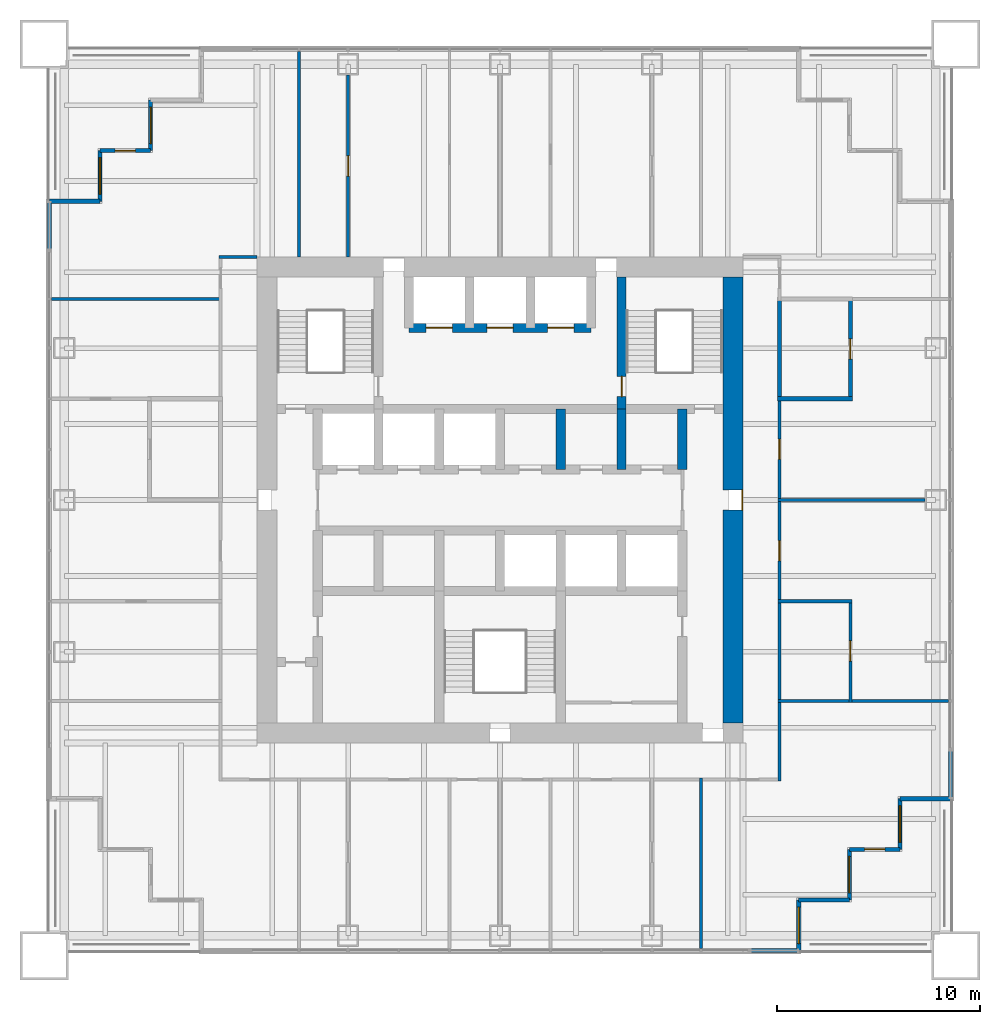
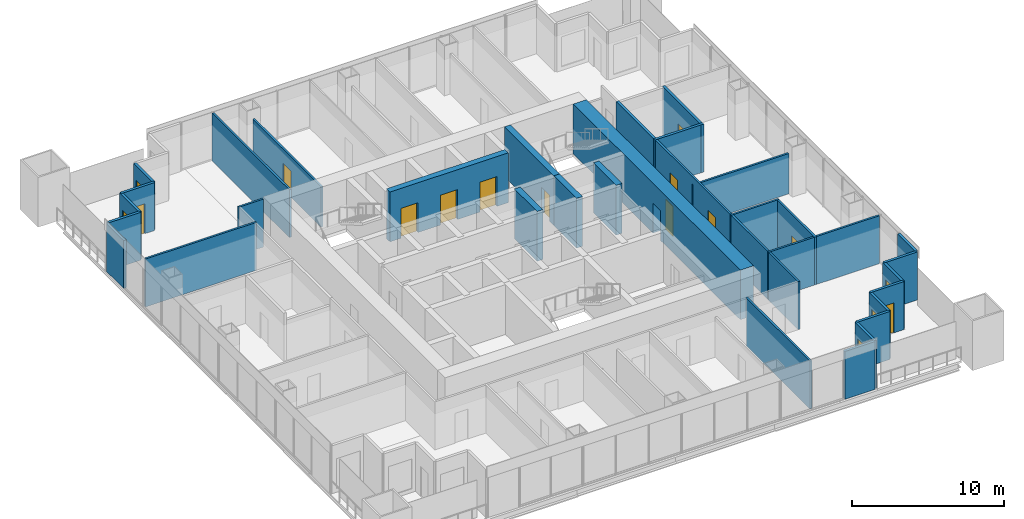
# One storey, part 10 of 13: 32 walls, 12 doors, 5 windows, 17 openings.
"""IFC4 building model written with IfcOpenShell, lengths in metres."""

from ifc_helpers import new_model, si_unit, direction, frame, frame_2d, origin, place, context, subcontext, project, spatial, rectangle, extrude, material, layer, layer_set, type_object, element, fill, save


model = new_model("IFC4")

# Units and contexts
model_context = context("Model", 3, precision=1e-05, world=origin(), true_north=direction((0.0, 1.0)))
body_context = subcontext(model_context, "Body", "Model", "MODEL_VIEW")
ifc_project = project(units=[si_unit("LENGTHUNIT", "METRE"), si_unit("AREAUNIT", "SQUARE_METRE"), si_unit("VOLUMEUNIT", "CUBIC_METRE"), si_unit("PLANEANGLEUNIT", "RADIAN"), si_unit("MASSUNIT", "GRAM", prefix="KILO")], contexts=[model_context])

# Site, building, storey
site_placement = place(None, origin())
site = spatial("IfcSite", under=ifc_project, at=site_placement, CompositionType="ELEMENT")
building_placement = place(site_placement, origin())
building = spatial("IfcBuilding", under=site, at=building_placement, Name="Tarangal Relay Tower", CompositionType="ELEMENT")
storey_placement = place(building_placement, frame((0.0, 0.0, 181.89990234375)))
storey = spatial("IfcBuildingStorey", under=building, at=storey_placement, Name="L37", CompositionType="ELEMENT", Elevation=181.89990234375)

# Walls
ifc_material_1 = material(Name="Two layers gypsum board each side on twin steel studs, mineral wool", Category="steel")
ifc_layer_1 = layer(ifc_material_1, 0.199951171875)
ifc_layer_set_1 = layer_set([ifc_layer_1], Name="Acoustic partition 200")
wall_type_1 = type_object("IfcWallType", Name="Acoustic partition 200", PredefinedType="PARTITIONING", material=ifc_layer_set_1)
wall_1_placement = place(storey_placement, frame((13.699951171875, 5.0, 0.0), z_axis=(0.0, 0.0, 1.0), x_axis=(1.0, 0.0, 0.0)))
element("IfcWall", 1, at=wall_1_placement, inside=storey, type_object=wall_type_1, Name="Partition PT2 L37", PredefinedType="PARTITIONING", context=body_context, shape_type="SweptSolid", body=[
    extrude(rectangle(XDim=3.699951171875, YDim=0.199951171875, at=frame_2d((1.85009765625, 0.0))), origin(), (0.0, 0.0, 1.0), 3.85009765625),
])
wall_2_placement = place(storey_placement, frame((13.800048828125, 4.89990234375, 0.0), z_axis=(0.0, 0.0, 1.0), x_axis=(0.0, 1.0, 0.0)))
element("IfcWall", 2, at=wall_2_placement, inside=storey, type_object=wall_type_1, Name="Partition PT2 L37", PredefinedType="PARTITIONING", context=body_context, shape_type="SweptSolid", body=[
    extrude(rectangle(XDim=5.1171875, YDim=0.199951171875, at=frame_2d((2.55859375, 0.0))), origin(), (0.0, 0.0, 1.0), 3.85009765625),
])

# Wall, opening, door
wall_3_placement = place(storey_placement, frame((17.300048828125, 4.89990234375, 0.0), z_axis=(0.0, 0.0, 1.0), x_axis=(0.0, 1.0, 0.0)))
wall_3 = element("IfcWall", 3, at=wall_3_placement, inside=storey, type_object=wall_type_1, Name="Partition PT2 L37", PredefinedType="PARTITIONING", context=body_context, shape_type="SweptSolid", body=[
    extrude(rectangle(XDim=5.1171875, YDim=0.199951171875, at=frame_2d((2.55859375, 0.0))), origin(), (0.0, 0.0, 1.0), 3.85009765625),
])
opening_1_placement = place(wall_3_placement, frame((2.05859375, 0.0, 0.0)))
opening_1 = element("IfcOpeningElement", 4, at=opening_1_placement, cuts=wall_3, Name="Opening D2", PredefinedType="OPENING", context=body_context, shape_type="SweptSolid", body=[
    extrude(rectangle(XDim=1.0, YDim=2.10009765625, at=frame_2d((0.5, 1.050048828125))), frame((0.0, 0.10986328125, 0.0), z_axis=(0.0, -1.0, 0.0), x_axis=(1.0, 0.0, 0.0)), (0.0, 0.0, 1.0), 0.219970703125),
])
ifc_material_2 = material(Name="Hardwood door", Category="wood")
door_type_1 = type_object("IfcDoorType", Name="Door 1000 x 2100", OperationType="SINGLE_SWING_LEFT", PredefinedType="DOOR", material=ifc_material_2)
door_1_placement = place(opening_1_placement, origin())
door_1 = element("IfcDoor", 5, at=door_1_placement, inside=storey, type_object=door_type_1, Name="Door D2 to meeting room L37-08", OperationType="SINGLE_SWING_LEFT", OverallHeight=2.10009765625, OverallWidth=1.0, PredefinedType="DOOR", context=body_context, shape_type="SweptSolid", body=[
    extrude(rectangle(XDim=1.0, YDim=2.10009765625, at=frame_2d((0.5, 1.050048828125))), frame((0.0, 0.02490234375, 0.0), z_axis=(0.0, -1.0, 0.0), x_axis=(1.0, 0.0, 0.0)), (0.0, 0.0, 1.0), 0.050048828125),
])
fill(opening_1, door_1)

# Wall, openings, doors
ifc_material_3 = material(Name="Concrete fc' 60 MPa", Category="concrete")
ifc_layer_2 = layer(ifc_material_3, 0.449951171875)
ifc_layer_set_2 = layer_set([ifc_layer_2], Name="Core inner wall 450")
wall_type_2 = type_object("IfcWallType", Name="Core inner wall 450", PredefinedType="SHEAR", material=ifc_layer_set_2)
wall_4_placement = place(storey_placement, frame((-4.5, 8.5, 0.0), z_axis=(0.0, 0.0, 1.0), x_axis=(1.0, 0.0, 0.0)))
wall_4 = element("IfcWall", 6, at=wall_4_placement, inside=storey, type_object=wall_type_2, Name="Core wall Y85 L37", PredefinedType="SHEAR", context=body_context, shape_type="SweptSolid", body=[
    extrude(rectangle(XDim=9.0, YDim=0.449951171875, at=frame_2d((4.5, 0.0))), origin(), (0.0, 0.0, 1.0), 4.0),
])
opening_2_placement = place(wall_4_placement, frame((0.85009765625, 0.0, 0.0)))
opening_2 = element("IfcOpeningElement", 7, at=opening_2_placement, cuts=wall_4, Name="Opening LD2", PredefinedType="OPENING", context=body_context, shape_type="SweptSolid", body=[
    extrude(rectangle(XDim=1.300048828125, YDim=2.39990234375, at=frame_2d((0.64990234375, 1.199951171875))), frame((0.0, 0.23486328125, 0.0), z_axis=(0.0, -1.0, 0.0), x_axis=(1.0, 0.0, 0.0)), (0.0, 0.0, 1.0), 0.469970703125),
])
opening_3_placement = place(wall_4_placement, frame((6.85009765625, 0.0, 0.0)))
opening_3 = element("IfcOpeningElement", 8, at=opening_3_placement, cuts=wall_4, Name="Opening LD2", PredefinedType="OPENING", context=body_context, shape_type="SweptSolid", body=[
    extrude(rectangle(XDim=1.300048828125, YDim=2.39990234375, at=frame_2d((0.64990234375, 1.199951171875))), frame((0.0, 0.23486328125, 0.0), z_axis=(0.0, -1.0, 0.0), x_axis=(1.0, 0.0, 0.0)), (0.0, 0.0, 1.0), 0.469970703125),
])
opening_4_placement = place(wall_4_placement, frame((3.85009765625, 0.0, 0.0)))
opening_4 = element("IfcOpeningElement", 9, at=opening_4_placement, cuts=wall_4, Name="Opening LD2", PredefinedType="OPENING", context=body_context, shape_type="SweptSolid", body=[
    extrude(rectangle(XDim=1.300048828125, YDim=2.39990234375, at=frame_2d((0.64990234375, 1.199951171875))), frame((0.0, 0.23486328125, 0.0), z_axis=(0.0, -1.0, 0.0), x_axis=(1.0, 0.0, 0.0)), (0.0, 0.0, 1.0), 0.469970703125),
])
ifc_material_4 = material(Name="Steel door with hardwood frame", Category="steel")
door_type_2 = type_object("IfcDoorType", Name="Lift landing door 1300 x 2400", OperationType="SLIDING_TO_LEFT", PredefinedType="DOOR", material=ifc_material_4)
door_2_placement = place(opening_2_placement, origin())
door_2 = element("IfcDoor", 10, at=door_2_placement, inside=storey, type_object=door_type_2, Name="Lift FF1 landing door L37", OperationType="SLIDING_TO_LEFT", OverallHeight=2.39990234375, OverallWidth=1.300048828125, PredefinedType="DOOR", context=body_context, shape_type="SweptSolid", body=[
    extrude(rectangle(XDim=1.300048828125, YDim=2.39990234375, at=frame_2d((0.64990234375, 1.199951171875))), frame((0.0, 0.02490234375, 0.0), z_axis=(0.0, -1.0, 0.0), x_axis=(1.0, 0.0, 0.0)), (0.0, 0.0, 1.0), 0.050048828125),
])
fill(opening_2, door_2)
door_3_placement = place(opening_3_placement, origin())
door_3 = element("IfcDoor", 11, at=door_3_placement, inside=storey, type_object=door_type_2, Name="Lift FF2 landing door L37", OperationType="SLIDING_TO_LEFT", OverallHeight=2.39990234375, OverallWidth=1.300048828125, PredefinedType="DOOR", context=body_context, shape_type="SweptSolid", body=[
    extrude(rectangle(XDim=1.300048828125, YDim=2.39990234375, at=frame_2d((0.64990234375, 1.199951171875))), frame((0.0, 0.02490234375, 0.0), z_axis=(0.0, -1.0, 0.0), x_axis=(1.0, 0.0, 0.0)), (0.0, 0.0, 1.0), 0.050048828125),
])
fill(opening_3, door_3)
door_4_placement = place(opening_4_placement, origin())
door_4 = element("IfcDoor", 12, at=door_4_placement, inside=storey, type_object=door_type_2, Name="Lift SV1 landing door L37", OperationType="SLIDING_TO_LEFT", OverallHeight=2.39990234375, OverallWidth=1.300048828125, PredefinedType="DOOR", context=body_context, shape_type="SweptSolid", body=[
    extrude(rectangle(XDim=1.300048828125, YDim=2.39990234375, at=frame_2d((0.64990234375, 1.199951171875))), frame((0.0, 0.02490234375, 0.0), z_axis=(0.0, -1.0, 0.0), x_axis=(1.0, 0.0, 0.0)), (0.0, 0.0, 1.0), 0.050048828125),
])
fill(opening_4, door_4)

# Walls
for number, where, z_axis, x_axis, name in (
    (13, (9.0, 1.5, 0.0), (0.0, 0.0, 1.0), (0.0, 1.0, 0.0), "Core wall X9N L37"),
    (14, (3.0, 1.5, 0.0), (0.0, 0.0, 1.0), (0.0, 1.0, 0.0), "Core wall X3N L37"),
    (15, (6.0, 1.5, 0.0), (0.0, 0.0, 1.0), (0.0, 1.0, 0.0), "Core wall X6N L37"),
):
    element("IfcWall", number, at=place(storey_placement, frame(where, z_axis=z_axis, x_axis=x_axis)), inside=storey, type_object=wall_type_2, Name=name, PredefinedType="SHEAR", context=body_context, shape_type="SweptSolid", body=[
        extrude(rectangle(XDim=3.0, YDim=0.449951171875, at=frame_2d((1.5, 0.0))), origin(), (0.0, 0.0, 1.0), 4.0),
    ])

# Wall, opening, door
wall_5_placement = place(storey_placement, frame((6.0, 4.5, 0.0), z_axis=(0.0, 0.0, 1.0), x_axis=(0.0, 1.0, 0.0)))
wall_5 = element("IfcWall", 16, at=wall_5_placement, inside=storey, type_object=wall_type_2, Name="Core wall X6 L37", PredefinedType="SHEAR", context=body_context, shape_type="SweptSolid", body=[
    extrude(rectangle(XDim=6.5, YDim=0.449951171875, at=frame_2d((3.25, 0.0))), origin(), (0.0, 0.0, 1.0), 4.0),
])
opening_5_placement = place(wall_5_placement, frame((0.60009765625, 0.0, 0.0)))
opening_5 = element("IfcOpeningElement", 17, at=opening_5_placement, cuts=wall_5, Name="Opening FD1", PredefinedType="OPENING", context=body_context, shape_type="SweptSolid", body=[
    extrude(rectangle(XDim=1.0, YDim=2.10009765625, at=frame_2d((0.5, 1.050048828125))), frame((0.0, 0.23486328125, 0.0), z_axis=(0.0, -1.0, 0.0), x_axis=(1.0, 0.0, 0.0)), (0.0, 0.0, 1.0), 0.469970703125),
])
door_type_3 = type_object("IfcDoorType", Name="Fire door 1000 x 2100", OperationType="SINGLE_SWING_LEFT", PredefinedType="DOOR", material=ifc_material_4)
door_5_placement = place(opening_5_placement, origin())
door_5 = element("IfcDoor", 18, at=door_5_placement, inside=storey, type_object=door_type_3, Name="Stair ST-B door from fire-fighting lobby L37", OperationType="SINGLE_SWING_LEFT", OverallHeight=2.10009765625, OverallWidth=1.0, PredefinedType="DOOR", context=body_context, shape_type="SweptSolid", body=[
    extrude(rectangle(XDim=1.0, YDim=2.10009765625, at=frame_2d((0.5, 1.050048828125))), frame((0.0, 0.02490234375, 0.0), z_axis=(0.0, -1.0, 0.0), x_axis=(1.0, 0.0, 0.0)), (0.0, 0.0, 1.0), 0.050048828125),
])
fill(opening_5, door_5)

ifc_layer_3 = layer(ifc_material_3, 1.0)
ifc_layer_set_3 = layer_set([ifc_layer_3], Name="Core wall 1000")
wall_type_3 = type_object("IfcWallType", Name="Core wall 1000", PredefinedType="SHEAR", material=ifc_layer_set_3)
wall_6_placement = place(storey_placement, frame((11.5, 11.0, 0.0), z_axis=(0.0, 0.0, 1.0), x_axis=(0.0, -1.0, 0.0)))
wall_6 = element("IfcWall", 19, at=wall_6_placement, inside=storey, type_object=wall_type_3, Name="Core wall E L37", PredefinedType="SHEAR", context=body_context, shape_type="SweptSolid", body=[
    extrude(rectangle(XDim=22.0, YDim=1.0, at=frame_2d((11.0, 0.0))), origin(), (0.0, 0.0, 1.0), 4.0),
])
opening_6_placement = place(wall_6_placement, frame((10.5, 0.0, 0.0)))
opening_6 = element("IfcOpeningElement", 20, at=opening_6_placement, cuts=wall_6, Name="Opening FD3", PredefinedType="OPENING", context=body_context, shape_type="SweptSolid", body=[
    extrude(rectangle(XDim=1.0, YDim=2.39990234375, at=frame_2d((0.5, 1.199951171875))), frame((0.0, 0.510009765625, 0.0), z_axis=(0.0, -1.0, 0.0), x_axis=(1.0, 0.0, 0.0)), (0.0, 0.0, 1.0), 1.02001953125),
])
door_type_4 = type_object("IfcDoorType", Name="Fire door 1000 x 2400 core entry", OperationType="SINGLE_SWING_RIGHT", PredefinedType="DOOR", material=ifc_material_4)
door_6_placement = place(opening_6_placement, origin())
door_6 = element("IfcDoor", 21, at=door_6_placement, inside=storey, type_object=door_type_4, Name="Core entry door east L37", OperationType="SINGLE_SWING_RIGHT", OverallHeight=2.39990234375, OverallWidth=1.0, PredefinedType="DOOR", context=body_context, shape_type="SweptSolid", body=[
    extrude(rectangle(XDim=1.0, YDim=2.39990234375, at=frame_2d((0.5, 1.199951171875))), frame((0.0, 0.48486328125, 0.0), z_axis=(0.0, -1.0, 0.0), x_axis=(1.0, 0.0, 0.0)), (0.0, 0.0, 1.0), 0.050048828125),
])
fill(opening_6, door_6)

# Wall
ifc_material_5 = material(Name="Black metal clad insulated wall", Category="steel")
ifc_layer_4 = layer(ifc_material_5, 0.199951171875)
ifc_layer_set_4 = layer_set([ifc_layer_4], Name="Corner wall metal clad 200")
wall_type_4 = type_object("IfcWallType", Name="Corner wall metal clad 200", PredefinedType="SOLIDWALL", material=ifc_layer_set_4)
wall_7_placement = place(storey_placement, frame((22.25, -14.75, 0.0), z_axis=(0.0, 0.0, 1.0), x_axis=(-1.0, 0.0, 0.0)))
element("IfcWall", 22, at=wall_7_placement, inside=storey, type_object=wall_type_4, Name="Facade wall E facade L37", PredefinedType="SOLIDWALL", context=body_context, shape_type="SweptSolid", body=[
    extrude(rectangle(XDim=2.5, YDim=0.199951171875, at=frame_2d((1.25, 0.0))), origin(), (0.0, 0.0, 1.0), 3.85009765625),
])

# Wall, opening, window
wall_8_placement = place(storey_placement, frame((19.75, -14.75, 0.0), z_axis=(0.0, 0.0, 1.0), x_axis=(0.0, -1.0, 0.0)))
wall_8 = element("IfcWall", 23, at=wall_8_placement, inside=storey, type_object=wall_type_4, Name="Facade wall E facade L37", PredefinedType="SOLIDWALL", context=body_context, shape_type="SweptSolid", body=[
    extrude(rectangle(XDim=2.5, YDim=0.199951171875, at=frame_2d((1.25, 0.0))), origin(), (0.0, 0.0, 1.0), 3.85009765625),
])
opening_7_placement = place(wall_8_placement, frame((0.35009765625, 0.0, 0.300048828125)))
opening_7 = element("IfcOpeningElement", 24, at=opening_7_placement, cuts=wall_8, Name="Opening WN2", PredefinedType="OPENING", context=body_context, shape_type="SweptSolid", body=[
    extrude(rectangle(XDim=1.800048828125, YDim=2.39990234375, at=frame_2d((0.89990234375, 1.199951171875))), frame((0.0, 0.10986328125, 0.0), z_axis=(0.0, -1.0, 0.0), x_axis=(1.0, 0.0, 0.0)), (0.0, 0.0, 1.0), 0.219970703125),
])
ifc_material_6 = material(Name="Dark tinted double glazing in black aluminium frame", Category="aluminium")
window_type = type_object("IfcWindowType", Name="Corner window 1800 x 2400", PartitioningType="SINGLE_PANEL", PredefinedType="WINDOW", material=ifc_material_6)
window_1_placement = place(opening_7_placement, origin())
window_1 = element("IfcWindow", 25, at=window_1_placement, inside=storey, type_object=window_type, Name="Corner window WN2 E facade L37", OverallHeight=2.39990234375, OverallWidth=1.800048828125, PartitioningType="SINGLE_PANEL", PredefinedType="WINDOW", context=body_context, shape_type="SweptSolid", body=[
    extrude(rectangle(XDim=1.800048828125, YDim=2.39990234375, at=frame_2d((0.89990234375, 1.199951171875))), frame((0.0, 0.030029296875, 0.0), z_axis=(0.0, -1.0, 0.0), x_axis=(1.0, 0.0, 0.0)), (0.0, 0.0, 1.0), 0.06005859375),
])
fill(opening_7, window_1)

# Wall, opening, door
wall_9_placement = place(storey_placement, frame((19.75, -17.25, 0.0), z_axis=(0.0, 0.0, 1.0), x_axis=(-1.0, 0.0, 0.0)))
wall_9 = element("IfcWall", 26, at=wall_9_placement, inside=storey, type_object=wall_type_4, Name="Facade wall E facade L37", PredefinedType="SOLIDWALL", context=body_context, shape_type="SweptSolid", body=[
    extrude(rectangle(XDim=2.5, YDim=0.199951171875, at=frame_2d((1.25, 0.0))), origin(), (0.0, 0.0, 1.0), 3.85009765625),
])
opening_8_placement = place(wall_9_placement, frame((0.75, 0.0, 0.0)))
opening_8 = element("IfcOpeningElement", 27, at=opening_8_placement, cuts=wall_9, Name="Opening TD1", PredefinedType="OPENING", context=body_context, shape_type="SweptSolid", body=[
    extrude(rectangle(XDim=1.0, YDim=2.39990234375, at=frame_2d((0.5, 1.199951171875))), frame((0.0, 0.10986328125, 0.0), z_axis=(0.0, -1.0, 0.0), x_axis=(1.0, 0.0, 0.0)), (0.0, 0.0, 1.0), 0.219970703125),
])
ifc_material_7 = material(Name="Aluminium glazed door", Category="aluminium")
door_type_5 = type_object("IfcDoorType", Name="Terrace door 1000 x 2400", OperationType="SINGLE_SWING_RIGHT", PredefinedType="DOOR", material=ifc_material_7)
door_7_placement = place(opening_8_placement, origin())
door_7 = element("IfcDoor", 28, at=door_7_placement, inside=storey, type_object=door_type_5, Name="Terrace door TD1 SE L37", OperationType="SINGLE_SWING_RIGHT", OverallHeight=2.39990234375, OverallWidth=1.0, PredefinedType="DOOR", context=body_context, shape_type="SweptSolid", body=[
    extrude(rectangle(XDim=1.0, YDim=2.39990234375, at=frame_2d((0.5, 1.199951171875))), frame((0.0, 0.02490234375, 0.0), z_axis=(0.0, -1.0, 0.0), x_axis=(1.0, 0.0, 0.0)), (0.0, 0.0, 1.0), 0.050048828125),
])
fill(opening_8, door_7)

# Wall, opening, window
wall_10_placement = place(storey_placement, frame((17.25, -17.25, 0.0), z_axis=(0.0, 0.0, 1.0), x_axis=(0.0, -1.0, 0.0)))
wall_10 = element("IfcWall", 29, at=wall_10_placement, inside=storey, type_object=wall_type_4, Name="Facade wall E facade L37", PredefinedType="SOLIDWALL", context=body_context, shape_type="SweptSolid", body=[
    extrude(rectangle(XDim=2.5, YDim=0.199951171875, at=frame_2d((1.25, 0.0))), origin(), (0.0, 0.0, 1.0), 3.85009765625),
])
opening_9_placement = place(wall_10_placement, frame((0.35009765625, 0.0, 0.300048828125)))
opening_9 = element("IfcOpeningElement", 30, at=opening_9_placement, cuts=wall_10, Name="Opening WN2", PredefinedType="OPENING", context=body_context, shape_type="SweptSolid", body=[
    extrude(rectangle(XDim=1.800048828125, YDim=2.39990234375, at=frame_2d((0.89990234375, 1.199951171875))), frame((0.0, 0.10986328125, 0.0), z_axis=(0.0, -1.0, 0.0), x_axis=(1.0, 0.0, 0.0)), (0.0, 0.0, 1.0), 0.219970703125),
])
window_2_placement = place(opening_9_placement, origin())
window_2 = element("IfcWindow", 31, at=window_2_placement, inside=storey, type_object=window_type, Name="Corner window WN2 E facade L37", OverallHeight=2.39990234375, OverallWidth=1.800048828125, PartitioningType="SINGLE_PANEL", PredefinedType="WINDOW", context=body_context, shape_type="SweptSolid", body=[
    extrude(rectangle(XDim=1.800048828125, YDim=2.39990234375, at=frame_2d((0.89990234375, 1.199951171875))), frame((0.0, 0.030029296875, 0.0), z_axis=(0.0, -1.0, 0.0), x_axis=(1.0, 0.0, 0.0)), (0.0, 0.0, 1.0), 0.06005859375),
])
fill(opening_9, window_2)

# Wall
wall_11_placement = place(storey_placement, frame((17.25, -19.75, 0.0), z_axis=(0.0, 0.0, 1.0), x_axis=(-1.0, 0.0, 0.0)))
element("IfcWall", 32, at=wall_11_placement, inside=storey, type_object=wall_type_4, Name="Facade wall E facade L37", PredefinedType="SOLIDWALL", context=body_context, shape_type="SweptSolid", body=[
    extrude(rectangle(XDim=2.5, YDim=0.199951171875, at=frame_2d((1.25, 0.0))), origin(), (0.0, 0.0, 1.0), 3.85009765625),
])

# Wall, opening, window
wall_12_placement = place(storey_placement, frame((14.75, -19.75, 0.0), z_axis=(0.0, 0.0, 1.0), x_axis=(0.0, -1.0, 0.0)))
wall_12 = element("IfcWall", 33, at=wall_12_placement, inside=storey, type_object=wall_type_4, Name="Facade wall E facade L37", PredefinedType="SOLIDWALL", context=body_context, shape_type="SweptSolid", body=[
    extrude(rectangle(XDim=2.5, YDim=0.199951171875, at=frame_2d((1.25, 0.0))), origin(), (0.0, 0.0, 1.0), 3.85009765625),
])
opening_10_placement = place(wall_12_placement, frame((0.35009765625, 0.0, 0.300048828125)))
opening_10 = element("IfcOpeningElement", 34, at=opening_10_placement, cuts=wall_12, Name="Opening WN2", PredefinedType="OPENING", context=body_context, shape_type="SweptSolid", body=[
    extrude(rectangle(XDim=1.800048828125, YDim=2.39990234375, at=frame_2d((0.89990234375, 1.199951171875))), frame((0.0, 0.10986328125, 0.0), z_axis=(0.0, -1.0, 0.0), x_axis=(1.0, 0.0, 0.0)), (0.0, 0.0, 1.0), 0.219970703125),
])
window_3_placement = place(opening_10_placement, origin())
window_3 = element("IfcWindow", 35, at=window_3_placement, inside=storey, type_object=window_type, Name="Corner window WN2 E facade L37", OverallHeight=2.39990234375, OverallWidth=1.800048828125, PartitioningType="SINGLE_PANEL", PredefinedType="WINDOW", context=body_context, shape_type="SweptSolid", body=[
    extrude(rectangle(XDim=1.800048828125, YDim=2.39990234375, at=frame_2d((0.89990234375, 1.199951171875))), frame((0.0, 0.030029296875, 0.0), z_axis=(0.0, -1.0, 0.0), x_axis=(1.0, 0.0, 0.0)), (0.0, 0.0, 1.0), 0.06005859375),
])
fill(opening_10, window_3)

# Wall
wall_13_placement = place(storey_placement, frame((-22.25, 14.75, 0.0), z_axis=(0.0, 0.0, 1.0), x_axis=(1.0, 0.0, 0.0)))
element("IfcWall", 36, at=wall_13_placement, inside=storey, type_object=wall_type_4, Name="Facade wall W facade L37", PredefinedType="SOLIDWALL", context=body_context, shape_type="SweptSolid", body=[
    extrude(rectangle(XDim=2.5, YDim=0.199951171875, at=frame_2d((1.25, 0.0))), origin(), (0.0, 0.0, 1.0), 3.85009765625),
])

# Wall, opening, window
wall_14_placement = place(storey_placement, frame((-19.75, 14.75, 0.0), z_axis=(0.0, 0.0, 1.0), x_axis=(0.0, 1.0, 0.0)))
wall_14 = element("IfcWall", 37, at=wall_14_placement, inside=storey, type_object=wall_type_4, Name="Facade wall W facade L37", PredefinedType="SOLIDWALL", context=body_context, shape_type="SweptSolid", body=[
    extrude(rectangle(XDim=2.5, YDim=0.199951171875, at=frame_2d((1.25, 0.0))), origin(), (0.0, 0.0, 1.0), 3.85009765625),
])
opening_11_placement = place(wall_14_placement, frame((0.35009765625, 0.0, 0.300048828125)))
opening_11 = element("IfcOpeningElement", 38, at=opening_11_placement, cuts=wall_14, Name="Opening WN2", PredefinedType="OPENING", context=body_context, shape_type="SweptSolid", body=[
    extrude(rectangle(XDim=1.800048828125, YDim=2.39990234375, at=frame_2d((0.89990234375, 1.199951171875))), frame((0.0, 0.10986328125, 0.0), z_axis=(0.0, -1.0, 0.0), x_axis=(1.0, 0.0, 0.0)), (0.0, 0.0, 1.0), 0.219970703125),
])
window_4_placement = place(opening_11_placement, origin())
window_4 = element("IfcWindow", 39, at=window_4_placement, inside=storey, type_object=window_type, Name="Corner window WN2 W facade L37", OverallHeight=2.39990234375, OverallWidth=1.800048828125, PartitioningType="SINGLE_PANEL", PredefinedType="WINDOW", context=body_context, shape_type="SweptSolid", body=[
    extrude(rectangle(XDim=1.800048828125, YDim=2.39990234375, at=frame_2d((0.89990234375, 1.199951171875))), frame((0.0, 0.030029296875, 0.0), z_axis=(0.0, -1.0, 0.0), x_axis=(1.0, 0.0, 0.0)), (0.0, 0.0, 1.0), 0.06005859375),
])
fill(opening_11, window_4)

# Wall, opening, door
wall_15_placement = place(storey_placement, frame((-19.75, 17.25, 0.0), z_axis=(0.0, 0.0, 1.0), x_axis=(1.0, 0.0, 0.0)))
wall_15 = element("IfcWall", 40, at=wall_15_placement, inside=storey, type_object=wall_type_4, Name="Facade wall W facade L37", PredefinedType="SOLIDWALL", context=body_context, shape_type="SweptSolid", body=[
    extrude(rectangle(XDim=2.5, YDim=0.199951171875, at=frame_2d((1.25, 0.0))), origin(), (0.0, 0.0, 1.0), 3.85009765625),
])
opening_12_placement = place(wall_15_placement, frame((0.75, 0.0, 0.0)))
opening_12 = element("IfcOpeningElement", 41, at=opening_12_placement, cuts=wall_15, Name="Opening TD1", PredefinedType="OPENING", context=body_context, shape_type="SweptSolid", body=[
    extrude(rectangle(XDim=1.0, YDim=2.39990234375, at=frame_2d((0.5, 1.199951171875))), frame((0.0, 0.10986328125, 0.0), z_axis=(0.0, -1.0, 0.0), x_axis=(1.0, 0.0, 0.0)), (0.0, 0.0, 1.0), 0.219970703125),
])
door_8_placement = place(opening_12_placement, origin())
door_8 = element("IfcDoor", 42, at=door_8_placement, inside=storey, type_object=door_type_5, Name="Terrace door TD1 NW L37", OperationType="SINGLE_SWING_RIGHT", OverallHeight=2.39990234375, OverallWidth=1.0, PredefinedType="DOOR", context=body_context, shape_type="SweptSolid", body=[
    extrude(rectangle(XDim=1.0, YDim=2.39990234375, at=frame_2d((0.5, 1.199951171875))), frame((0.0, 0.02490234375, 0.0), z_axis=(0.0, -1.0, 0.0), x_axis=(1.0, 0.0, 0.0)), (0.0, 0.0, 1.0), 0.050048828125),
])
fill(opening_12, door_8)

# Wall, opening, window
wall_16_placement = place(storey_placement, frame((-17.25, 17.25, 0.0), z_axis=(0.0, 0.0, 1.0), x_axis=(0.0, 1.0, 0.0)))
wall_16 = element("IfcWall", 43, at=wall_16_placement, inside=storey, type_object=wall_type_4, Name="Facade wall W facade L37", PredefinedType="SOLIDWALL", context=body_context, shape_type="SweptSolid", body=[
    extrude(rectangle(XDim=2.5, YDim=0.199951171875, at=frame_2d((1.25, 0.0))), origin(), (0.0, 0.0, 1.0), 3.85009765625),
])
opening_13_placement = place(wall_16_placement, frame((0.35009765625, 0.0, 0.300048828125)))
opening_13 = element("IfcOpeningElement", 44, at=opening_13_placement, cuts=wall_16, Name="Opening WN2", PredefinedType="OPENING", context=body_context, shape_type="SweptSolid", body=[
    extrude(rectangle(XDim=1.800048828125, YDim=2.39990234375, at=frame_2d((0.89990234375, 1.199951171875))), frame((0.0, 0.10986328125, 0.0), z_axis=(0.0, -1.0, 0.0), x_axis=(1.0, 0.0, 0.0)), (0.0, 0.0, 1.0), 0.219970703125),
])
window_5_placement = place(opening_13_placement, origin())
window_5 = element("IfcWindow", 45, at=window_5_placement, inside=storey, type_object=window_type, Name="Corner window WN2 W facade L37", OverallHeight=2.39990234375, OverallWidth=1.800048828125, PartitioningType="SINGLE_PANEL", PredefinedType="WINDOW", context=body_context, shape_type="SweptSolid", body=[
    extrude(rectangle(XDim=1.800048828125, YDim=2.39990234375, at=frame_2d((0.89990234375, 1.199951171875))), frame((0.0, 0.030029296875, 0.0), z_axis=(0.0, -1.0, 0.0), x_axis=(1.0, 0.0, 0.0)), (0.0, 0.0, 1.0), 0.06005859375),
])
fill(opening_13, window_5)

# Walls
ifc_layer_5 = layer(ifc_material_5, 0.199951171875)
ifc_layer_set_5 = layer_set([ifc_layer_5], Name="Facade infill wall metal clad 200")
wall_type_5 = type_object("IfcWallType", Name="Facade infill wall metal clad 200", PredefinedType="SOLIDWALL", material=ifc_layer_set_5)
for number, where, z_axis, x_axis, name in (
    (46, (22.25, -12.398193359375, 0.0), (0.0, 0.0, 1.0), (0.0, -1.0, 0.0), "Facade infill wall E facade L37 1.1"),
    (47, (14.68505859375, -22.25, 0.0), (0.0, 0.0, 1.0), (-1.0, 0.0, 0.0), "Facade infill wall S facade L37 1.1"),
    (48, (-22.25, 12.398193359375, 0.0), (0.0, 0.0, 1.0), (0.0, 1.0, 0.0), "Facade infill wall W facade L37 1.1"),
):
    element("IfcWall", number, at=place(storey_placement, frame(where, z_axis=z_axis, x_axis=x_axis)), inside=storey, type_object=wall_type_5, Name=name, PredefinedType="SOLIDWALL", context=body_context, shape_type="SweptSolid", body=[
        extrude(rectangle(XDim=2.286865234375, YDim=0.199951171875, at=frame_2d((1.1435546875, 0.0))), origin(), (0.0, 0.0, 1.0), 3.85009765625),
    ])
ifc_material_8 = material(Name="Gypsum board on steel studs", Category="steel")
ifc_layer_6 = layer(ifc_material_8, 0.14990234375)
ifc_layer_set_6 = layer_set([ifc_layer_6], Name="Partition 150")
wall_type_6 = type_object("IfcWallType", Name="Partition 150", PredefinedType="PARTITIONING", material=ifc_layer_set_6)
wall_17_placement = place(storey_placement, frame((13.72509765625, -9.9169921875, 0.0), z_axis=(0.0, 0.0, 1.0), x_axis=(1.0, 0.0, 0.0)))
element("IfcWall", 49, at=wall_17_placement, inside=storey, type_object=wall_type_6, Name="Partition PT1 L37", PredefinedType="PARTITIONING", context=body_context, shape_type="SweptSolid", body=[
    extrude(rectangle(XDim=8.4248046875, YDim=0.14990234375, at=frame_2d((4.21240234375, 0.0))), origin(), (0.0, 0.0, 1.0), 3.85009765625),
])
wall_18_placement = place(storey_placement, frame((13.72509765625, -5.0, 0.0), z_axis=(0.0, 0.0, 1.0), x_axis=(1.0, 0.0, 0.0)))
element("IfcWall", 50, at=wall_18_placement, inside=storey, type_object=wall_type_6, Name="Partition PT1 L37", PredefinedType="PARTITIONING", context=body_context, shape_type="SweptSolid", body=[
    extrude(rectangle(XDim=3.64990234375, YDim=0.14990234375, at=frame_2d((1.824951171875, 0.0))), origin(), (0.0, 0.0, 1.0), 3.85009765625),
])
wall_19_placement = place(storey_placement, frame((13.72509765625, 0.0, 0.0), z_axis=(0.0, 0.0, 1.0), x_axis=(1.0, 0.0, 0.0)))
element("IfcWall", 51, at=wall_19_placement, inside=storey, type_object=wall_type_6, Name="Partition PT1 L37", PredefinedType="PARTITIONING", context=body_context, shape_type="SweptSolid", body=[
    extrude(rectangle(XDim=7.264892578125, YDim=0.14990234375, at=frame_2d((3.63232421875, 0.0))), origin(), (0.0, 0.0, 1.0), 3.238037109375),
])
wall_20_placement = place(storey_placement, frame((-22.14990234375, 9.9169921875, 0.0), z_axis=(0.0, 0.0, 1.0), x_axis=(1.0, 0.0, 0.0)))
element("IfcWall", 52, at=wall_20_placement, inside=storey, type_object=wall_type_6, Name="Partition PT1 L37", PredefinedType="PARTITIONING", context=body_context, shape_type="SweptSolid", body=[
    extrude(rectangle(XDim=8.4248046875, YDim=0.14990234375, at=frame_2d((4.21240234375, 0.0))), origin(), (0.0, 0.0, 1.0), 3.85009765625),
])
wall_21_placement = place(storey_placement, frame((-13.875, 12.0, 0.0), z_axis=(0.0, 0.0, 1.0), x_axis=(1.0, 0.0, 0.0)))
element("IfcWall", 53, at=wall_21_placement, inside=storey, type_object=wall_type_6, Name="Partition PT1 L37", PredefinedType="PARTITIONING", context=body_context, shape_type="SweptSolid", body=[
    extrude(rectangle(XDim=1.875, YDim=0.14990234375, at=frame_2d((0.9375, 0.0))), origin(), (0.0, 0.0, 1.0), 3.85009765625),
])
wall_22_placement = place(storey_placement, frame((-9.9169921875, 12.0, 0.0), z_axis=(0.0, 0.0, 1.0), x_axis=(0.0, 1.0, 0.0)))
element("IfcWall", 54, at=wall_22_placement, inside=storey, type_object=wall_type_6, Name="Partition PT1 L37", PredefinedType="PARTITIONING", context=body_context, shape_type="SweptSolid", body=[
    extrude(rectangle(XDim=10.14990234375, YDim=0.14990234375, at=frame_2d((5.074951171875, 0.0))), origin(), (0.0, 0.0, 1.0), 3.85009765625),
])

# Wall, opening, door
wall_23_placement = place(storey_placement, frame((-7.5, 12.0, 0.0), z_axis=(0.0, 0.0, 1.0), x_axis=(0.0, 1.0, 0.0)))
wall_23 = element("IfcWall", 55, at=wall_23_placement, inside=storey, type_object=wall_type_6, Name="Partition PT1 L37", PredefinedType="PARTITIONING", context=body_context, shape_type="SweptSolid", body=[
    extrude(rectangle(XDim=8.989990234375, YDim=0.14990234375, at=frame_2d((4.4951171875, 0.0))), origin(), (0.0, 0.0, 1.0), 3.238037109375),
])
opening_14_placement = place(wall_23_placement, frame((3.9951171875, 0.0, 0.0)))
opening_14 = element("IfcOpeningElement", 56, at=opening_14_placement, cuts=wall_23, Name="Opening D2", PredefinedType="OPENING", context=body_context, shape_type="SweptSolid", body=[
    extrude(rectangle(XDim=1.0, YDim=2.10009765625, at=frame_2d((0.5, 1.050048828125))), frame((0.0, 0.0849609375, 0.0), z_axis=(0.0, -1.0, 0.0), x_axis=(1.0, 0.0, 0.0)), (0.0, 0.0, 1.0), 0.169921875),
])
door_9_placement = place(opening_14_placement, origin())
door_9 = element("IfcDoor", 57, at=door_9_placement, inside=storey, type_object=door_type_1, Name="Door D2 to cellular office L37-02", OperationType="SINGLE_SWING_LEFT", OverallHeight=2.10009765625, OverallWidth=1.0, PredefinedType="DOOR", context=body_context, shape_type="SweptSolid", body=[
    extrude(rectangle(XDim=1.0, YDim=2.10009765625, at=frame_2d((0.5, 1.050048828125))), frame((0.0, 0.02490234375, 0.0), z_axis=(0.0, -1.0, 0.0), x_axis=(1.0, 0.0, 0.0)), (0.0, 0.0, 1.0), 0.050048828125),
])
fill(opening_14, door_9)

# Wall
wall_24_placement = place(storey_placement, frame((9.9169921875, -22.14990234375, 0.0), z_axis=(0.0, 0.0, 1.0), x_axis=(0.0, 1.0, 0.0)))
element("IfcWall", 58, at=wall_24_placement, inside=storey, type_object=wall_type_6, Name="Partition PT1 L37", PredefinedType="PARTITIONING", context=body_context, shape_type="SweptSolid", body=[
    extrude(rectangle(XDim=8.4248046875, YDim=0.14990234375, at=frame_2d((4.21240234375, 0.0))), origin(), (0.0, 0.0, 1.0), 3.85009765625),
])

# Wall, openings, doors
wall_25_placement = place(storey_placement, frame((13.800048828125, -13.875, 0.0), z_axis=(0.0, 0.0, 1.0), x_axis=(0.0, 1.0, 0.0)))
wall_25 = element("IfcWall", 59, at=wall_25_placement, inside=storey, type_object=wall_type_6, Name="Partition PT1 L37", PredefinedType="PARTITIONING", context=body_context, shape_type="SweptSolid", body=[
    extrude(rectangle(XDim=18.949951171875, YDim=0.14990234375, at=frame_2d((9.47509765625, 0.0))), origin(), (0.0, 0.0, 1.0), 3.85009765625),
])
opening_15_placement = place(wall_25_placement, frame((15.875, 0.0, 0.0)))
opening_15 = element("IfcOpeningElement", 60, at=opening_15_placement, cuts=wall_25, Name="Opening SD1", PredefinedType="OPENING", context=body_context, shape_type="SweptSolid", body=[
    extrude(rectangle(XDim=1.0, YDim=2.39990234375, at=frame_2d((0.5, 1.199951171875))), frame((0.0, 0.0849609375, 0.0), z_axis=(0.0, -1.0, 0.0), x_axis=(1.0, 0.0, 0.0)), (0.0, 0.0, 1.0), 0.169921875),
])
opening_16_placement = place(wall_25_placement, frame((10.875, 0.0, 0.0)))
opening_16 = element("IfcOpeningElement", 61, at=opening_16_placement, cuts=wall_25, Name="Opening SD1", PredefinedType="OPENING", context=body_context, shape_type="SweptSolid", body=[
    extrude(rectangle(XDim=1.0, YDim=2.39990234375, at=frame_2d((0.5, 1.199951171875))), frame((0.0, 0.0849609375, 0.0), z_axis=(0.0, -1.0, 0.0), x_axis=(1.0, 0.0, 0.0)), (0.0, 0.0, 1.0), 0.169921875),
])
door_type_6 = type_object("IfcDoorType", Name="Suite entrance door 1000 x 2400", OperationType="SINGLE_SWING_RIGHT", PredefinedType="DOOR", material=ifc_material_4)
door_10_placement = place(opening_15_placement, origin())
door_10 = element("IfcDoor", 62, at=door_10_placement, inside=storey, type_object=door_type_6, Name="Door SD1 to open plan office L37-09", OperationType="SINGLE_SWING_RIGHT", OverallHeight=2.39990234375, OverallWidth=1.0, PredefinedType="DOOR", context=body_context, shape_type="SweptSolid", body=[
    extrude(rectangle(XDim=1.0, YDim=2.39990234375, at=frame_2d((0.5, 1.199951171875))), frame((0.0, 0.02490234375, 0.0), z_axis=(0.0, -1.0, 0.0), x_axis=(1.0, 0.0, 0.0)), (0.0, 0.0, 1.0), 0.050048828125),
])
fill(opening_15, door_10)
door_11_placement = place(opening_16_placement, origin())
door_11 = element("IfcDoor", 63, at=door_11_placement, inside=storey, type_object=door_type_6, Name="Door SD1 to open plan office L37-10", OperationType="SINGLE_SWING_RIGHT", OverallHeight=2.39990234375, OverallWidth=1.0, PredefinedType="DOOR", context=body_context, shape_type="SweptSolid", body=[
    extrude(rectangle(XDim=1.0, YDim=2.39990234375, at=frame_2d((0.5, 1.199951171875))), frame((0.0, 0.02490234375, 0.0), z_axis=(0.0, -1.0, 0.0), x_axis=(1.0, 0.0, 0.0)), (0.0, 0.0, 1.0), 0.050048828125),
])
fill(opening_16, door_11)

# Wall, opening, door
wall_26_placement = place(storey_placement, frame((17.300048828125, -9.991943359375, 0.0), z_axis=(0.0, 0.0, 1.0), x_axis=(0.0, 1.0, 0.0)))
wall_26 = element("IfcWall", 64, at=wall_26_placement, inside=storey, type_object=wall_type_6, Name="Partition PT1 L37", PredefinedType="PARTITIONING", context=body_context, shape_type="SweptSolid", body=[
    extrude(rectangle(XDim=5.06689453125, YDim=0.14990234375, at=frame_2d((2.533447265625, 0.0))), origin(), (0.0, 0.0, 1.0), 3.85009765625),
])
opening_17_placement = place(wall_26_placement, frame((2.033447265625, 0.0, 0.0)))
opening_17 = element("IfcOpeningElement", 65, at=opening_17_placement, cuts=wall_26, Name="Opening D2", PredefinedType="OPENING", context=body_context, shape_type="SweptSolid", body=[
    extrude(rectangle(XDim=1.0, YDim=2.10009765625, at=frame_2d((0.5, 1.050048828125))), frame((0.0, 0.0849609375, 0.0), z_axis=(0.0, -1.0, 0.0), x_axis=(1.0, 0.0, 0.0)), (0.0, 0.0, 1.0), 0.169921875),
])
door_12_placement = place(opening_17_placement, origin())
door_12 = element("IfcDoor", 66, at=door_12_placement, inside=storey, type_object=door_type_1, Name="Door D2 to tea pantry L37-11", OperationType="SINGLE_SWING_LEFT", OverallHeight=2.10009765625, OverallWidth=1.0, PredefinedType="DOOR", context=body_context, shape_type="SweptSolid", body=[
    extrude(rectangle(XDim=1.0, YDim=2.10009765625, at=frame_2d((0.5, 1.050048828125))), frame((0.0, 0.02490234375, 0.0), z_axis=(0.0, -1.0, 0.0), x_axis=(1.0, 0.0, 0.0)), (0.0, 0.0, 1.0), 0.050048828125),
])
fill(opening_17, door_12)

save(model, "model.ifc")
